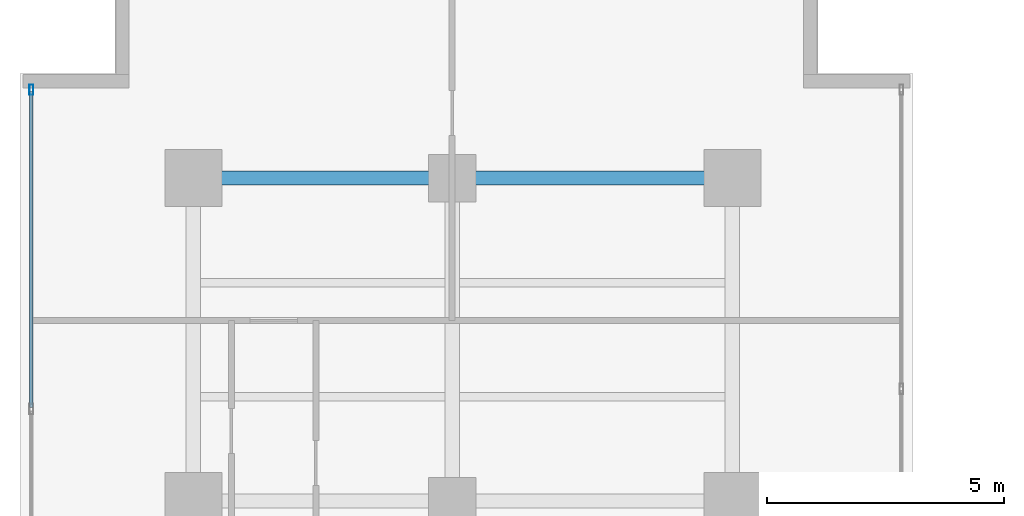
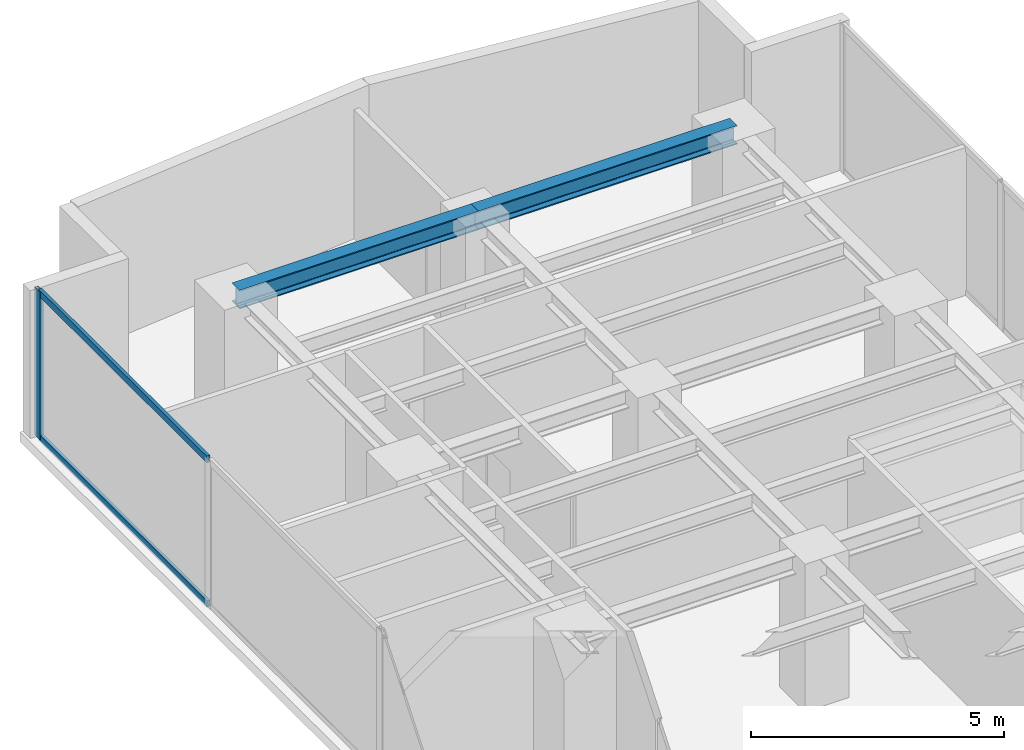
# One storey, part 16 of 24: 3 members, 2 beams, 1 element without a shape of its own.
"""IFC4 building model written with IfcOpenShell, lengths in metres."""

from ifc_helpers import new_model, si_unit, direction, frame, origin, origin_with_axes, origin_2d, place, context, subcontext, project, spatial, hollow_rectangle, i_section, extrude, source, transform, mapped, material, layer, layer_set, material_profile, profile_set, type_object, element, aggregate, save


model = new_model("IFC4")

# Units and contexts
model_context = context("Model", 3, precision=1e-05, world=origin(), true_north=direction((0.0, 1.0)))
body_context = subcontext(model_context, "Body", "Model", "MODEL_VIEW")
ifc_project = project(units=[si_unit("LENGTHUNIT", "METRE"), si_unit("AREAUNIT", "SQUARE_METRE"), si_unit("VOLUMEUNIT", "CUBIC_METRE"), si_unit("PLANEANGLEUNIT", "RADIAN"), si_unit("MASSUNIT", "GRAM", prefix="KILO")], contexts=[model_context])

# Site, building, storey
site_placement = place(None, origin())
site = spatial("IfcSite", under=ifc_project, at=site_placement, CompositionType="ELEMENT")
building_placement = place(site_placement, origin())
building = spatial("IfcBuilding", under=site, at=building_placement, Name="Kolvaren Waterfront Exchange", CompositionType="ELEMENT")
storey_placement = place(building_placement, frame((0.0, 0.0, 172.800048828125)))
storey = spatial("IfcBuildingStorey", under=building, at=storey_placement, Name="L44", CompositionType="ELEMENT", Elevation=172.800048828125)

# Beams
ifc_material_1 = material(Name="Steel S355", Category="steel")
ifc_material_profile_1 = material_profile(ifc_material_1, i_section(OverallWidth=0.300048828125, OverallDepth=0.449951171875, WebThickness=0.013916015625, FlangeThickness=0.02587890625, FilletRadius=0.027099609375, at=origin_2d()), Name="HEB450")
ifc_profile_set_1 = profile_set([ifc_material_profile_1], Name="Steel S355")
beam_type = type_object("IfcBeamType", Name="STR-BM-HEB450", PredefinedType="BEAM", material=ifc_profile_set_1)
beam_1_placement = place(storey_placement, frame((7.449951171875, 44.60009765625, 3.3349609375), z_axis=(1.0, 0.0, 0.0), x_axis=(0.0, 1.0, 0.0)))
element("IfcBeam", 1, at=beam_1_placement, inside=storey, type_object=beam_type, Name="L44 north-arm girder 4A", PredefinedType="BEAM", context=body_context, shape_type="SweptSolid", body=[
    extrude(i_section(OverallWidth=0.300048828125, OverallDepth=0.449951171875, WebThickness=0.013916015625, FlangeThickness=0.02587890625, FilletRadius=0.027099609375, at=origin_2d()), origin(), (0.0, 0.0, 1.0), 5.449951171875),
])
beam_2_placement = place(storey_placement, frame((12.89990234375, 44.60009765625, 3.3349609375), z_axis=(1.0, 0.0, 0.0), x_axis=(0.0, 1.0, 0.0)))
element("IfcBeam", 2, at=beam_2_placement, inside=storey, type_object=beam_type, Name="L44 north-arm girder 4B", PredefinedType="BEAM", context=body_context, shape_type="SweptSolid", body=[
    extrude(i_section(OverallWidth=0.300048828125, OverallDepth=0.449951171875, WebThickness=0.013916015625, FlangeThickness=0.02587890625, FilletRadius=0.027099609375, at=origin_2d()), origin(), (0.0, 0.0, 1.0), 5.900146484375),
])

# Curtain wall, members
ifc_material_2 = material(Name="Anodised aluminium 6063-T6", Category="aluminium")
ifc_layer = layer(ifc_material_2, 0.219970703125, Name="Anodised aluminium 6063-T6")
ifc_layer_set = layer_set([ifc_layer], Name="Anodised aluminium 6063-T6")
curtain_wall_type = type_object("IfcCurtainWallType", Name="ARC-CW-SYS2", PredefinedType="USERDEFINED", material=ifc_layer_set)
curtain_wall_placement = place(storey_placement, origin())
curtain_wall = element("IfcCurtainWall", 3, at=curtain_wall_placement, inside=storey, type_object=curtain_wall_type, Name="L44 stick curtain wall CW2 (CW-L44-W)", ObjectType="STICK CURTAIN WALL", PredefinedType="USERDEFINED")
ifc_material_profile_2 = material_profile(ifc_material_2, hollow_rectangle(XDim=0.080078125, YDim=0.219970703125, WallThickness=0.0048828125, at=origin_2d()), Name="ALU-MUL-220x80x5")
ifc_profile_set_2 = profile_set([ifc_material_profile_2], Name="Anodised aluminium 6063-T6")
member_type_1 = type_object("IfcMemberType", Name="ARC-CWM-220", PredefinedType="MULLION", material=ifc_profile_set_2)
shared_shape_1 = source(origin_with_axes(), body_context, "Body", "SweptSolid", [
    extrude(hollow_rectangle(XDim=0.080078125, YDim=0.219970703125, WallThickness=0.0048828125, at=origin_2d()), origin(), (0.0, 0.0, 1.0), 3.56005859375),
])
member_1_placement = place(storey_placement, frame((4.0400390625, 46.4599609375, 0.0), z_axis=(0.0, 0.0, 1.0), x_axis=(-1.0, 0.0, 0.0)))
member_1 = element("IfcMember", 4, at=member_1_placement, type_object=member_type_1, Name="CW2 mullion 7", PredefinedType="MULLION", context=body_context, shape_type="MappedRepresentation", body=[
    mapped(shared_shape_1, transform((0.0, 0.0, 0.0), x_axis=(1.0, 0.0, 0.0), y_axis=(0.0, 1.0, 0.0), z_axis=(0.0, 0.0, 1.0), scale=1.0)),
])
ifc_material_profile_3 = material_profile(ifc_material_2, hollow_rectangle(XDim=0.074951171875, YDim=0.159912109375, WallThickness=0.00439453125, at=origin_2d()), Name="ALU-TRN-160x75x4.5")
ifc_profile_set_3 = profile_set([ifc_material_profile_3], Name="Anodised aluminium 6063-T6")
member_type_2 = type_object("IfcMemberType", Name="ARC-CWT-160", PredefinedType="USERDEFINED", material=ifc_profile_set_3)
shared_shape_2 = source(origin_with_axes(), body_context, "Body", "SweptSolid", [
    extrude(hollow_rectangle(XDim=0.074951171875, YDim=0.159912109375, WallThickness=0.00439453125, at=origin_2d()), origin(), (0.0, 0.0, 1.0), 6.646484375),
])
member_2_placement = place(storey_placement, frame((4.0400390625, 39.7734375, 0.037353515625), z_axis=(0.0, 1.0, 0.0), x_axis=(-1.0, 0.0, 0.0)))
member_2 = element("IfcMember", 5, at=member_2_placement, type_object=member_type_2, Name="CW2 transom 6.1", ObjectType="TRANSOM", PredefinedType="USERDEFINED", context=body_context, shape_type="MappedRepresentation", body=[
    mapped(shared_shape_2, transform((0.0, 0.0, 0.0), x_axis=(1.0, 0.0, 0.0), y_axis=(0.0, 1.0, 0.0), z_axis=(0.0, 0.0, 1.0), scale=1.0)),
])
member_3_placement = place(storey_placement, frame((4.0400390625, 39.7734375, 3.5224609375), z_axis=(0.0, 1.0, 0.0), x_axis=(-1.0, 0.0, 0.0)))
member_3 = element("IfcMember", 6, at=member_3_placement, type_object=member_type_2, Name="CW2 transom 6.2", ObjectType="TRANSOM", PredefinedType="USERDEFINED", context=body_context, shape_type="MappedRepresentation", body=[
    mapped(shared_shape_2, transform((0.0, 0.0, 0.0), x_axis=(1.0, 0.0, 0.0), y_axis=(0.0, 1.0, 0.0), z_axis=(0.0, 0.0, 1.0), scale=1.0)),
])
aggregate(curtain_wall, [member_1, member_2, member_3])

save(model, "model.ifc")
